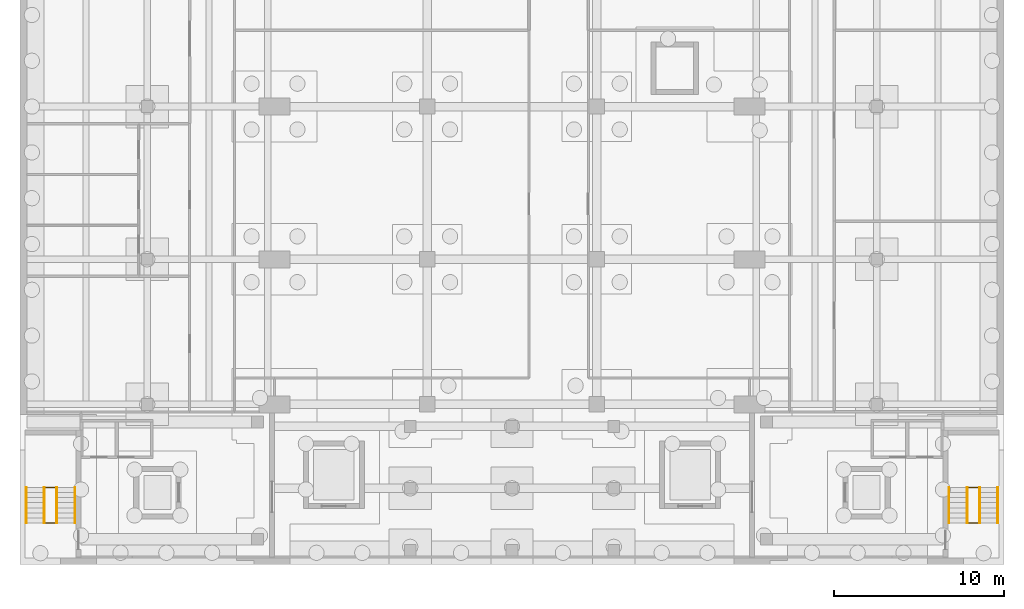
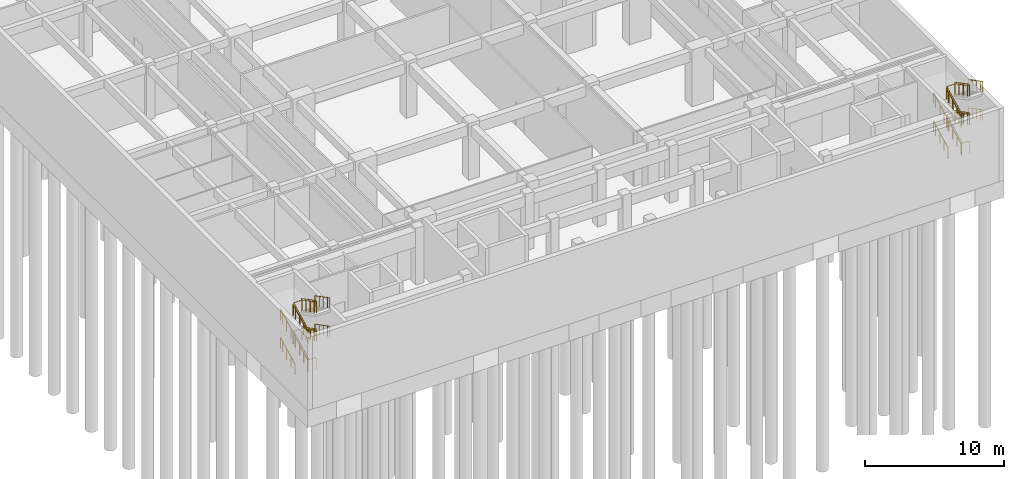
# One storey, part 17 of 19: 18 railings.
"""IFC4 building model written with IfcOpenShell, lengths in metres."""

from ifc_helpers import new_model, si_unit, direction, frame, origin, origin_2d, place, context, subcontext, project, spatial, circle, extrude, material, type_object, element, save


model = new_model("IFC4")

# Units and contexts
model_context = context("Model", 3, precision=1e-05, world=origin(), true_north=direction((0.0, 1.0)))
body_context = subcontext(model_context, "Body", "Model", "MODEL_VIEW")
ifc_project = project(units=[si_unit("LENGTHUNIT", "METRE"), si_unit("AREAUNIT", "SQUARE_METRE"), si_unit("VOLUMEUNIT", "CUBIC_METRE"), si_unit("PLANEANGLEUNIT", "RADIAN"), si_unit("MASSUNIT", "GRAM", prefix="KILO")], contexts=[model_context])

# Site, building, storey
site_placement = place(None, origin())
site = spatial("IfcSite", under=ifc_project, at=site_placement, CompositionType="ELEMENT")
building_placement = place(site_placement, origin())
building = spatial("IfcBuilding", under=site, at=building_placement, Name="Elmora Arch Market Hall", CompositionType="ELEMENT")
storey_placement = place(building_placement, frame((0.0, 0.0, -10.0)))
storey = spatial("IfcBuildingStorey", under=building, at=storey_placement, Name="B1", CompositionType="ELEMENT", Elevation=-10.0)

# Railings
ifc_material_1 = material(Name="Steel ASTM A500 Gr C", Category="steel")
railing_type_1 = type_object("IfcRailingType", Name="Stair guard 1100", PredefinedType="GUARDRAIL", material=ifc_material_1)
railing_1_placement = place(storey_placement, frame((2.1201171875, 20.449951171875, 0.0)))
element("IfcRailing", 1, at=railing_1_placement, inside=storey, type_object=railing_type_1, Name="Stair ST-WS guard B1", PredefinedType="GUARDRAIL", context=body_context, shape_type="SweptSolid", body=[
    extrude(circle(Radius=0.02392578125, at=origin_2d()), frame((0.0, 0.0, 1.076171875), z_axis=(-1.0, 0.0, 0.0), x_axis=(0.0, -1.0, 0.0)), (0.0, 0.0, 1.0), 0.64013671875),
    extrude(circle(Radius=0.02392578125, at=origin_2d()), frame((-0.64013671875, 0.0, 1.076171875), z_axis=(0.0, 0.0, 1.0), x_axis=(1.0, 0.0, 0.0)), (0.0, 0.0, 1.0), 0.15625),
    extrude(circle(Radius=0.02392578125, at=origin_2d()), frame((-0.64013671875, 0.0, 1.232421875), z_axis=(0.0, 0.886944881109, 0.461875283897), x_axis=(-1.0, 0.0, 0.0)), (0.0, 0.0, 1.0), 0.676513671875),
    extrude(circle(Radius=0.02392578125, at=origin_2d()), frame((-0.64013671875, 0.60009765625, 1.544921875), z_axis=(0.0, 0.886867866569, 0.462023145791), x_axis=(-1.0, 0.0, 0.0)), (0.0, 0.0, 1.0), 0.67626953125),
    extrude(circle(Radius=0.02392578125, at=origin_2d()), frame((-0.64013671875, 1.199951171875, 1.857421875), z_axis=(0.0, 0.886944881109, 0.461875283897), x_axis=(-1.0, 0.0, 0.0)), (0.0, 0.0, 1.0), 0.676513671875),
    extrude(circle(Radius=0.02392578125, at=origin_2d()), frame((-0.64013671875, 1.800048828125, 2.169921875), z_axis=(0.0, 0.886944881109, 0.461875283897), x_axis=(-1.0, 0.0, 0.0)), (0.0, 0.0, 1.0), 0.33837890625),
    extrude(circle(Radius=0.02392578125, at=origin_2d()), frame((-0.64013671875, 2.10009765625, 2.326171875), z_axis=(1.0, 0.0, 0.0), x_axis=(0.0, 1.0, 0.0)), (0.0, 0.0, 1.0), 0.64013671875),
    extrude(circle(Radius=0.02392578125, at=origin_2d()), frame((0.0, 2.10009765625, 2.326171875), z_axis=(0.0, 0.0, 1.0), x_axis=(1.0, 0.0, 0.0)), (0.0, 0.0, 1.0), 0.15625),
    extrude(circle(Radius=0.02392578125, at=origin_2d()), frame((0.0, 2.10009765625, 2.482421875), z_axis=(0.0, -0.886944881109, 0.461875283897), x_axis=(1.0, 0.0, 0.0)), (0.0, 0.0, 1.0), 0.676513671875),
    extrude(circle(Radius=0.02392578125, at=origin_2d()), frame((0.0, 1.5, 2.794921875), z_axis=(0.0, -0.886867866569, 0.462023145791), x_axis=(1.0, 0.0, 0.0)), (0.0, 0.0, 1.0), 0.67626953125),
    extrude(circle(Radius=0.02392578125, at=origin_2d()), frame((0.0, 0.900146484375, 3.107421875), z_axis=(0.0, -0.886944881109, 0.461875283897), x_axis=(1.0, 0.0, 0.0)), (0.0, 0.0, 1.0), 0.676513671875),
    extrude(circle(Radius=0.02392578125, at=origin_2d()), frame((0.0, 0.300048828125, 3.419921875), z_axis=(0.0, -0.886944881109, 0.461875283897), x_axis=(1.0, 0.0, 0.0)), (0.0, 0.0, 1.0), 0.33837890625),
    extrude(circle(Radius=0.02392578125, at=origin_2d()), frame((0.0, 0.0, 3.576171875), z_axis=(-1.0, 0.0, 0.0), x_axis=(0.0, -1.0, 0.0)), (0.0, 0.0, 1.0), 0.64013671875),
    extrude(circle(Radius=0.02392578125, at=origin_2d()), frame((-0.64013671875, 0.0, 3.576171875), z_axis=(0.0, 0.0, 1.0), x_axis=(1.0, 0.0, 0.0)), (0.0, 0.0, 1.0), 0.15625),
    extrude(circle(Radius=0.02392578125, at=origin_2d()), frame((-0.64013671875, 0.0, 3.732421875), z_axis=(0.0, 0.886944881109, 0.461875283897), x_axis=(-1.0, 0.0, 0.0)), (0.0, 0.0, 1.0), 0.676513671875),
    extrude(circle(Radius=0.02392578125, at=origin_2d()), frame((-0.64013671875, 0.60009765625, 4.044921875), z_axis=(0.0, 0.886867866569, 0.462023145791), x_axis=(-1.0, 0.0, 0.0)), (0.0, 0.0, 1.0), 0.67626953125),
    extrude(circle(Radius=0.02392578125, at=origin_2d()), frame((-0.64013671875, 1.199951171875, 4.357421875), z_axis=(0.0, 0.886944881109, 0.461875283897), x_axis=(-1.0, 0.0, 0.0)), (0.0, 0.0, 1.0), 0.676513671875),
    extrude(circle(Radius=0.02392578125, at=origin_2d()), frame((-0.64013671875, 1.800048828125, 4.669921875), z_axis=(0.0, 0.886944881109, 0.461875283897), x_axis=(-1.0, 0.0, 0.0)), (0.0, 0.0, 1.0), 0.33837890625),
    extrude(circle(Radius=0.02392578125, at=origin_2d()), frame((-0.64013671875, 2.10009765625, 4.826171875), z_axis=(1.0, 0.0, 0.0), x_axis=(0.0, 1.0, 0.0)), (0.0, 0.0, 1.0), 0.64013671875),
    extrude(circle(Radius=0.02392578125, at=origin_2d()), frame((0.0, 2.10009765625, 4.826171875), z_axis=(0.0, 0.0, 1.0), x_axis=(1.0, 0.0, 0.0)), (0.0, 0.0, 1.0), 0.15625),
    extrude(circle(Radius=0.02392578125, at=origin_2d()), frame((0.0, 2.10009765625, 4.982421875), z_axis=(0.0, -0.886944881109, 0.461875283897), x_axis=(1.0, 0.0, 0.0)), (0.0, 0.0, 1.0), 0.676513671875),
    extrude(circle(Radius=0.02392578125, at=origin_2d()), frame((0.0, 1.5, 5.294921875), z_axis=(0.0, -0.886867866569, 0.462023145791), x_axis=(1.0, 0.0, 0.0)), (0.0, 0.0, 1.0), 0.67626953125),
    extrude(circle(Radius=0.02392578125, at=origin_2d()), frame((0.0, 0.900146484375, 5.607421875), z_axis=(0.0, -0.886944881109, 0.461875283897), x_axis=(1.0, 0.0, 0.0)), (0.0, 0.0, 1.0), 0.676513671875),
    extrude(circle(Radius=0.02392578125, at=origin_2d()), frame((0.0, 0.300048828125, 5.919921875), z_axis=(0.0, -0.886944881109, 0.461875283897), x_axis=(1.0, 0.0, 0.0)), (0.0, 0.0, 1.0), 0.33837890625),
    extrude(circle(Radius=0.02099609375, at=origin_2d()), origin(), (0.0, 0.0, 1.0), 1.052001953125),
    extrude(circle(Radius=0.02099609375, at=origin_2d()), frame((-0.64013671875, 0.0, 0.0)), (0.0, 0.0, 1.0), 1.052001953125),
    extrude(circle(Radius=0.02099609375, at=origin_2d()), frame((-0.64013671875, 0.0, 0.15625)), (0.0, 0.0, 1.0), 1.052001953125),
    extrude(circle(Radius=0.02099609375, at=origin_2d()), frame((-0.64013671875, 0.60009765625, 0.46875)), (0.0, 0.0, 1.0), 1.052001953125),
    extrude(circle(Radius=0.02099609375, at=origin_2d()), frame((-0.64013671875, 1.199951171875, 0.78125)), (0.0, 0.0, 1.0), 1.052001953125),
    extrude(circle(Radius=0.02099609375, at=origin_2d()), frame((-0.64013671875, 1.800048828125, 1.09375)), (0.0, 0.0, 1.0), 1.052001953125),
    extrude(circle(Radius=0.02099609375, at=origin_2d()), frame((-0.64013671875, 2.10009765625, 1.25)), (0.0, 0.0, 1.0), 1.052001953125),
    extrude(circle(Radius=0.02099609375, at=origin_2d()), frame((0.0, 2.10009765625, 1.25)), (0.0, 0.0, 1.0), 1.052001953125),
    extrude(circle(Radius=0.02099609375, at=origin_2d()), frame((0.0, 2.10009765625, 1.40625)), (0.0, 0.0, 1.0), 1.052001953125),
    extrude(circle(Radius=0.02099609375, at=origin_2d()), frame((0.0, 1.5, 1.71875)), (0.0, 0.0, 1.0), 1.052001953125),
    extrude(circle(Radius=0.02099609375, at=origin_2d()), frame((0.0, 0.900146484375, 2.03125)), (0.0, 0.0, 1.0), 1.052001953125),
    extrude(circle(Radius=0.02099609375, at=origin_2d()), frame((0.0, 0.300048828125, 2.34375)), (0.0, 0.0, 1.0), 1.052001953125),
    extrude(circle(Radius=0.02099609375, at=origin_2d()), frame((0.0, 0.0, 2.5)), (0.0, 0.0, 1.0), 1.052001953125),
    extrude(circle(Radius=0.02099609375, at=origin_2d()), frame((-0.64013671875, 0.0, 2.5)), (0.0, 0.0, 1.0), 1.052001953125),
    extrude(circle(Radius=0.02099609375, at=origin_2d()), frame((-0.64013671875, 0.0, 2.65625)), (0.0, 0.0, 1.0), 1.052001953125),
    extrude(circle(Radius=0.02099609375, at=origin_2d()), frame((-0.64013671875, 0.60009765625, 2.96875)), (0.0, 0.0, 1.0), 1.052001953125),
    extrude(circle(Radius=0.02099609375, at=origin_2d()), frame((-0.64013671875, 1.199951171875, 3.28125)), (0.0, 0.0, 1.0), 1.052001953125),
    extrude(circle(Radius=0.02099609375, at=origin_2d()), frame((-0.64013671875, 1.800048828125, 3.59375)), (0.0, 0.0, 1.0), 1.052001953125),
    extrude(circle(Radius=0.02099609375, at=origin_2d()), frame((-0.64013671875, 2.10009765625, 3.75)), (0.0, 0.0, 1.0), 1.052001953125),
    extrude(circle(Radius=0.02099609375, at=origin_2d()), frame((0.0, 2.10009765625, 3.75)), (0.0, 0.0, 1.0), 1.052001953125),
    extrude(circle(Radius=0.02099609375, at=origin_2d()), frame((0.0, 2.10009765625, 3.90625)), (0.0, 0.0, 1.0), 1.052001953125),
    extrude(circle(Radius=0.02099609375, at=origin_2d()), frame((0.0, 1.5, 4.21875)), (0.0, 0.0, 1.0), 1.052001953125),
    extrude(circle(Radius=0.02099609375, at=origin_2d()), frame((0.0, 0.900146484375, 4.53125)), (0.0, 0.0, 1.0), 1.052001953125),
    extrude(circle(Radius=0.02099609375, at=origin_2d()), frame((0.0, 0.300048828125, 4.84375)), (0.0, 0.0, 1.0), 1.052001953125),
    extrude(circle(Radius=0.02099609375, at=origin_2d()), frame((0.0, 0.0, 5.0)), (0.0, 0.0, 1.0), 1.052001953125),
])
railing_2_placement = place(storey_placement, frame((56.52001953125, 20.449951171875, 0.0)))
element("IfcRailing", 2, at=railing_2_placement, inside=storey, type_object=railing_type_1, Name="Stair ST-ES guard B1", PredefinedType="GUARDRAIL", context=body_context, shape_type="SweptSolid", body=[
    extrude(circle(Radius=0.02392578125, at=origin_2d()), frame((0.0, 0.0, 1.076171875), z_axis=(-1.0, 0.0, 0.0), x_axis=(0.0, -1.0, 0.0)), (0.0, 0.0, 1.0), 0.64013671875),
    extrude(circle(Radius=0.02392578125, at=origin_2d()), frame((-0.64013671875, 0.0, 1.076171875), z_axis=(0.0, 0.0, 1.0), x_axis=(1.0, 0.0, 0.0)), (0.0, 0.0, 1.0), 0.15625),
    extrude(circle(Radius=0.02392578125, at=origin_2d()), frame((-0.64013671875, 0.0, 1.232421875), z_axis=(0.0, 0.886944881109, 0.461875283897), x_axis=(-1.0, 0.0, 0.0)), (0.0, 0.0, 1.0), 0.676513671875),
    extrude(circle(Radius=0.02392578125, at=origin_2d()), frame((-0.64013671875, 0.60009765625, 1.544921875), z_axis=(0.0, 0.886867866569, 0.462023145791), x_axis=(-1.0, 0.0, 0.0)), (0.0, 0.0, 1.0), 0.67626953125),
    extrude(circle(Radius=0.02392578125, at=origin_2d()), frame((-0.64013671875, 1.199951171875, 1.857421875), z_axis=(0.0, 0.886944881109, 0.461875283897), x_axis=(-1.0, 0.0, 0.0)), (0.0, 0.0, 1.0), 0.676513671875),
    extrude(circle(Radius=0.02392578125, at=origin_2d()), frame((-0.64013671875, 1.800048828125, 2.169921875), z_axis=(0.0, 0.886944881109, 0.461875283897), x_axis=(-1.0, 0.0, 0.0)), (0.0, 0.0, 1.0), 0.33837890625),
    extrude(circle(Radius=0.02392578125, at=origin_2d()), frame((-0.64013671875, 2.10009765625, 2.326171875), z_axis=(1.0, 0.0, 0.0), x_axis=(0.0, 1.0, 0.0)), (0.0, 0.0, 1.0), 0.64013671875),
    extrude(circle(Radius=0.02392578125, at=origin_2d()), frame((0.0, 2.10009765625, 2.326171875), z_axis=(0.0, 0.0, 1.0), x_axis=(1.0, 0.0, 0.0)), (0.0, 0.0, 1.0), 0.15625),
    extrude(circle(Radius=0.02392578125, at=origin_2d()), frame((0.0, 2.10009765625, 2.482421875), z_axis=(0.0, -0.886944881109, 0.461875283897), x_axis=(1.0, 0.0, 0.0)), (0.0, 0.0, 1.0), 0.676513671875),
    extrude(circle(Radius=0.02392578125, at=origin_2d()), frame((0.0, 1.5, 2.794921875), z_axis=(0.0, -0.886867866569, 0.462023145791), x_axis=(1.0, 0.0, 0.0)), (0.0, 0.0, 1.0), 0.67626953125),
    extrude(circle(Radius=0.02392578125, at=origin_2d()), frame((0.0, 0.900146484375, 3.107421875), z_axis=(0.0, -0.886944881109, 0.461875283897), x_axis=(1.0, 0.0, 0.0)), (0.0, 0.0, 1.0), 0.676513671875),
    extrude(circle(Radius=0.02392578125, at=origin_2d()), frame((0.0, 0.300048828125, 3.419921875), z_axis=(0.0, -0.886944881109, 0.461875283897), x_axis=(1.0, 0.0, 0.0)), (0.0, 0.0, 1.0), 0.33837890625),
    extrude(circle(Radius=0.02392578125, at=origin_2d()), frame((0.0, 0.0, 3.576171875), z_axis=(-1.0, 0.0, 0.0), x_axis=(0.0, -1.0, 0.0)), (0.0, 0.0, 1.0), 0.64013671875),
    extrude(circle(Radius=0.02392578125, at=origin_2d()), frame((-0.64013671875, 0.0, 3.576171875), z_axis=(0.0, 0.0, 1.0), x_axis=(1.0, 0.0, 0.0)), (0.0, 0.0, 1.0), 0.15625),
    extrude(circle(Radius=0.02392578125, at=origin_2d()), frame((-0.64013671875, 0.0, 3.732421875), z_axis=(0.0, 0.886944881109, 0.461875283897), x_axis=(-1.0, 0.0, 0.0)), (0.0, 0.0, 1.0), 0.676513671875),
    extrude(circle(Radius=0.02392578125, at=origin_2d()), frame((-0.64013671875, 0.60009765625, 4.044921875), z_axis=(0.0, 0.886867866569, 0.462023145791), x_axis=(-1.0, 0.0, 0.0)), (0.0, 0.0, 1.0), 0.67626953125),
    extrude(circle(Radius=0.02392578125, at=origin_2d()), frame((-0.64013671875, 1.199951171875, 4.357421875), z_axis=(0.0, 0.886944881109, 0.461875283897), x_axis=(-1.0, 0.0, 0.0)), (0.0, 0.0, 1.0), 0.676513671875),
    extrude(circle(Radius=0.02392578125, at=origin_2d()), frame((-0.64013671875, 1.800048828125, 4.669921875), z_axis=(0.0, 0.886944881109, 0.461875283897), x_axis=(-1.0, 0.0, 0.0)), (0.0, 0.0, 1.0), 0.33837890625),
    extrude(circle(Radius=0.02392578125, at=origin_2d()), frame((-0.64013671875, 2.10009765625, 4.826171875), z_axis=(1.0, 0.0, 0.0), x_axis=(0.0, 1.0, 0.0)), (0.0, 0.0, 1.0), 0.64013671875),
    extrude(circle(Radius=0.02392578125, at=origin_2d()), frame((0.0, 2.10009765625, 4.826171875), z_axis=(0.0, 0.0, 1.0), x_axis=(1.0, 0.0, 0.0)), (0.0, 0.0, 1.0), 0.15625),
    extrude(circle(Radius=0.02392578125, at=origin_2d()), frame((0.0, 2.10009765625, 4.982421875), z_axis=(0.0, -0.886944881109, 0.461875283897), x_axis=(1.0, 0.0, 0.0)), (0.0, 0.0, 1.0), 0.676513671875),
    extrude(circle(Radius=0.02392578125, at=origin_2d()), frame((0.0, 1.5, 5.294921875), z_axis=(0.0, -0.886867866569, 0.462023145791), x_axis=(1.0, 0.0, 0.0)), (0.0, 0.0, 1.0), 0.67626953125),
    extrude(circle(Radius=0.02392578125, at=origin_2d()), frame((0.0, 0.900146484375, 5.607421875), z_axis=(0.0, -0.886944881109, 0.461875283897), x_axis=(1.0, 0.0, 0.0)), (0.0, 0.0, 1.0), 0.676513671875),
    extrude(circle(Radius=0.02392578125, at=origin_2d()), frame((0.0, 0.300048828125, 5.919921875), z_axis=(0.0, -0.886944881109, 0.461875283897), x_axis=(1.0, 0.0, 0.0)), (0.0, 0.0, 1.0), 0.33837890625),
    extrude(circle(Radius=0.02099609375, at=origin_2d()), origin(), (0.0, 0.0, 1.0), 1.052001953125),
    extrude(circle(Radius=0.02099609375, at=origin_2d()), frame((-0.64013671875, 0.0, 0.0)), (0.0, 0.0, 1.0), 1.052001953125),
    extrude(circle(Radius=0.02099609375, at=origin_2d()), frame((-0.64013671875, 0.0, 0.15625)), (0.0, 0.0, 1.0), 1.052001953125),
    extrude(circle(Radius=0.02099609375, at=origin_2d()), frame((-0.64013671875, 0.60009765625, 0.46875)), (0.0, 0.0, 1.0), 1.052001953125),
    extrude(circle(Radius=0.02099609375, at=origin_2d()), frame((-0.64013671875, 1.199951171875, 0.78125)), (0.0, 0.0, 1.0), 1.052001953125),
    extrude(circle(Radius=0.02099609375, at=origin_2d()), frame((-0.64013671875, 1.800048828125, 1.09375)), (0.0, 0.0, 1.0), 1.052001953125),
    extrude(circle(Radius=0.02099609375, at=origin_2d()), frame((-0.64013671875, 2.10009765625, 1.25)), (0.0, 0.0, 1.0), 1.052001953125),
    extrude(circle(Radius=0.02099609375, at=origin_2d()), frame((0.0, 2.10009765625, 1.25)), (0.0, 0.0, 1.0), 1.052001953125),
    extrude(circle(Radius=0.02099609375, at=origin_2d()), frame((0.0, 2.10009765625, 1.40625)), (0.0, 0.0, 1.0), 1.052001953125),
    extrude(circle(Radius=0.02099609375, at=origin_2d()), frame((0.0, 1.5, 1.71875)), (0.0, 0.0, 1.0), 1.052001953125),
    extrude(circle(Radius=0.02099609375, at=origin_2d()), frame((0.0, 0.900146484375, 2.03125)), (0.0, 0.0, 1.0), 1.052001953125),
    extrude(circle(Radius=0.02099609375, at=origin_2d()), frame((0.0, 0.300048828125, 2.34375)), (0.0, 0.0, 1.0), 1.052001953125),
    extrude(circle(Radius=0.02099609375, at=origin_2d()), frame((0.0, 0.0, 2.5)), (0.0, 0.0, 1.0), 1.052001953125),
    extrude(circle(Radius=0.02099609375, at=origin_2d()), frame((-0.64013671875, 0.0, 2.5)), (0.0, 0.0, 1.0), 1.052001953125),
    extrude(circle(Radius=0.02099609375, at=origin_2d()), frame((-0.64013671875, 0.0, 2.65625)), (0.0, 0.0, 1.0), 1.052001953125),
    extrude(circle(Radius=0.02099609375, at=origin_2d()), frame((-0.64013671875, 0.60009765625, 2.96875)), (0.0, 0.0, 1.0), 1.052001953125),
    extrude(circle(Radius=0.02099609375, at=origin_2d()), frame((-0.64013671875, 1.199951171875, 3.28125)), (0.0, 0.0, 1.0), 1.052001953125),
    extrude(circle(Radius=0.02099609375, at=origin_2d()), frame((-0.64013671875, 1.800048828125, 3.59375)), (0.0, 0.0, 1.0), 1.052001953125),
    extrude(circle(Radius=0.02099609375, at=origin_2d()), frame((-0.64013671875, 2.10009765625, 3.75)), (0.0, 0.0, 1.0), 1.052001953125),
    extrude(circle(Radius=0.02099609375, at=origin_2d()), frame((0.0, 2.10009765625, 3.75)), (0.0, 0.0, 1.0), 1.052001953125),
    extrude(circle(Radius=0.02099609375, at=origin_2d()), frame((0.0, 2.10009765625, 3.90625)), (0.0, 0.0, 1.0), 1.052001953125),
    extrude(circle(Radius=0.02099609375, at=origin_2d()), frame((0.0, 1.5, 4.21875)), (0.0, 0.0, 1.0), 1.052001953125),
    extrude(circle(Radius=0.02099609375, at=origin_2d()), frame((0.0, 0.900146484375, 4.53125)), (0.0, 0.0, 1.0), 1.052001953125),
    extrude(circle(Radius=0.02099609375, at=origin_2d()), frame((0.0, 0.300048828125, 4.84375)), (0.0, 0.0, 1.0), 1.052001953125),
    extrude(circle(Radius=0.02099609375, at=origin_2d()), frame((0.0, 0.0, 5.0)), (0.0, 0.0, 1.0), 1.052001953125),
])
ifc_material_2 = material(Name="Stainless steel ASTM A554 Grade 304", Category="steel")
railing_type_2 = type_object("IfcRailingType", Name="Stair handrail 950", PredefinedType="HANDRAIL", material=ifc_material_2)
for number, where, name in (
    (3, (0.360107421875, 20.449951171875, 0.15625), "Stair ST-WS B1 flight 1 handrail"),
    (4, (1.429931640625, 20.449951171875, 0.15625), "Stair ST-WS B1 flight 1 handrail"),
):
    element("IfcRailing", number, at=place(storey_placement, frame(where)), inside=storey, type_object=railing_type_2, Name=name, PredefinedType="HANDRAIL", context=body_context, shape_type="SweptSolid", body=[
        extrude(circle(Radius=0.02392578125, at=origin_2d()), frame((0.0, 0.0, 0.92578125), z_axis=(0.0, 0.886944881109, 0.461875283897), x_axis=(-1.0, 0.0, 0.0)), (0.0, 0.0, 1.0), 0.676513671875),
        extrude(circle(Radius=0.02392578125, at=origin_2d()), frame((0.0, 0.60009765625, 1.23828125), z_axis=(0.0, 0.886867866569, 0.462023145791), x_axis=(-1.0, 0.0, 0.0)), (0.0, 0.0, 1.0), 0.67626953125),
        extrude(circle(Radius=0.02392578125, at=origin_2d()), frame((0.0, 1.199951171875, 1.55078125), z_axis=(0.0, 0.886944881109, 0.461875283897), x_axis=(-1.0, 0.0, 0.0)), (0.0, 0.0, 1.0), 0.676513671875),
        extrude(circle(Radius=0.02392578125, at=origin_2d()), frame((0.0, 1.800048828125, 1.86328125), z_axis=(0.0, 0.886944881109, 0.461875283897), x_axis=(-1.0, 0.0, 0.0)), (0.0, 0.0, 1.0), 0.33837890625),
        extrude(circle(Radius=0.02099609375, at=origin_2d()), origin(), (0.0, 0.0, 1.0), 0.90185546875),
        extrude(circle(Radius=0.02099609375, at=origin_2d()), frame((0.0, 0.60009765625, 0.3125)), (0.0, 0.0, 1.0), 0.90185546875),
        extrude(circle(Radius=0.02099609375, at=origin_2d()), frame((0.0, 1.199951171875, 0.625)), (0.0, 0.0, 1.0), 0.90185546875),
        extrude(circle(Radius=0.02099609375, at=origin_2d()), frame((0.0, 1.800048828125, 0.9375)), (0.0, 0.0, 1.0), 0.90185546875),
        extrude(circle(Radius=0.02099609375, at=origin_2d()), frame((0.0, 2.10009765625, 1.09375)), (0.0, 0.0, 1.0), 0.90185546875),
    ])
for number, where, name in (
    (5, (3.239990234375, 22.550048828125, 1.40625), "Stair ST-WS B1 flight 2 handrail"),
    (6, (2.169921875, 22.550048828125, 1.40625), "Stair ST-WS B1 flight 2 handrail"),
):
    element("IfcRailing", number, at=place(storey_placement, frame(where)), inside=storey, type_object=railing_type_2, Name=name, PredefinedType="HANDRAIL", context=body_context, shape_type="SweptSolid", body=[
        extrude(circle(Radius=0.02392578125, at=origin_2d()), frame((0.0, 0.0, 0.92578125), z_axis=(0.0, -0.886944881109, 0.461875283897), x_axis=(1.0, 0.0, 0.0)), (0.0, 0.0, 1.0), 0.676513671875),
        extrude(circle(Radius=0.02392578125, at=origin_2d()), frame((0.0, -0.60009765625, 1.23828125), z_axis=(0.0, -0.886867866569, 0.462023145791), x_axis=(1.0, 0.0, 0.0)), (0.0, 0.0, 1.0), 0.67626953125),
        extrude(circle(Radius=0.02392578125, at=origin_2d()), frame((0.0, -1.199951171875, 1.55078125), z_axis=(0.0, -0.886944881109, 0.461875283897), x_axis=(1.0, 0.0, 0.0)), (0.0, 0.0, 1.0), 0.676513671875),
        extrude(circle(Radius=0.02392578125, at=origin_2d()), frame((0.0, -1.800048828125, 1.86328125), z_axis=(0.0, -0.886944881109, 0.461875283897), x_axis=(1.0, 0.0, 0.0)), (0.0, 0.0, 1.0), 0.33837890625),
        extrude(circle(Radius=0.02099609375, at=origin_2d()), origin(), (0.0, 0.0, 1.0), 0.90185546875),
        extrude(circle(Radius=0.02099609375, at=origin_2d()), frame((0.0, -0.60009765625, 0.3125)), (0.0, 0.0, 1.0), 0.90185546875),
        extrude(circle(Radius=0.02099609375, at=origin_2d()), frame((0.0, -1.199951171875, 0.625)), (0.0, 0.0, 1.0), 0.90185546875),
        extrude(circle(Radius=0.02099609375, at=origin_2d()), frame((0.0, -1.800048828125, 0.9375)), (0.0, 0.0, 1.0), 0.90185546875),
        extrude(circle(Radius=0.02099609375, at=origin_2d()), frame((0.0, -2.10009765625, 1.09375)), (0.0, 0.0, 1.0), 0.90185546875),
    ])
for number, where, name in (
    (7, (0.360107421875, 20.449951171875, 2.65625), "Stair ST-WS B1 flight 3 handrail"),
    (8, (1.429931640625, 20.449951171875, 2.65625), "Stair ST-WS B1 flight 3 handrail"),
):
    element("IfcRailing", number, at=place(storey_placement, frame(where)), inside=storey, type_object=railing_type_2, Name=name, PredefinedType="HANDRAIL", context=body_context, shape_type="SweptSolid", body=[
        extrude(circle(Radius=0.02392578125, at=origin_2d()), frame((0.0, 0.0, 0.92578125), z_axis=(0.0, 0.886944881109, 0.461875283897), x_axis=(-1.0, 0.0, 0.0)), (0.0, 0.0, 1.0), 0.676513671875),
        extrude(circle(Radius=0.02392578125, at=origin_2d()), frame((0.0, 0.60009765625, 1.23828125), z_axis=(0.0, 0.886867866569, 0.462023145791), x_axis=(-1.0, 0.0, 0.0)), (0.0, 0.0, 1.0), 0.67626953125),
        extrude(circle(Radius=0.02392578125, at=origin_2d()), frame((0.0, 1.199951171875, 1.55078125), z_axis=(0.0, 0.886944881109, 0.461875283897), x_axis=(-1.0, 0.0, 0.0)), (0.0, 0.0, 1.0), 0.676513671875),
        extrude(circle(Radius=0.02392578125, at=origin_2d()), frame((0.0, 1.800048828125, 1.86328125), z_axis=(0.0, 0.886944881109, 0.461875283897), x_axis=(-1.0, 0.0, 0.0)), (0.0, 0.0, 1.0), 0.33837890625),
        extrude(circle(Radius=0.02099609375, at=origin_2d()), origin(), (0.0, 0.0, 1.0), 0.90185546875),
        extrude(circle(Radius=0.02099609375, at=origin_2d()), frame((0.0, 0.60009765625, 0.3125)), (0.0, 0.0, 1.0), 0.90185546875),
        extrude(circle(Radius=0.02099609375, at=origin_2d()), frame((0.0, 1.199951171875, 0.625)), (0.0, 0.0, 1.0), 0.90185546875),
        extrude(circle(Radius=0.02099609375, at=origin_2d()), frame((0.0, 1.800048828125, 0.9375)), (0.0, 0.0, 1.0), 0.90185546875),
        extrude(circle(Radius=0.02099609375, at=origin_2d()), frame((0.0, 2.10009765625, 1.09375)), (0.0, 0.0, 1.0), 0.90185546875),
    ])
for number, where, name in (
    (9, (3.239990234375, 22.550048828125, 3.90625), "Stair ST-WS B1 flight 4 handrail"),
    (10, (2.169921875, 22.550048828125, 3.90625), "Stair ST-WS B1 flight 4 handrail"),
):
    element("IfcRailing", number, at=place(storey_placement, frame(where)), inside=storey, type_object=railing_type_2, Name=name, PredefinedType="HANDRAIL", context=body_context, shape_type="SweptSolid", body=[
        extrude(circle(Radius=0.02392578125, at=origin_2d()), frame((0.0, 0.0, 0.92578125), z_axis=(0.0, -0.886944881109, 0.461875283897), x_axis=(1.0, 0.0, 0.0)), (0.0, 0.0, 1.0), 0.676513671875),
        extrude(circle(Radius=0.02392578125, at=origin_2d()), frame((0.0, -0.60009765625, 1.23828125), z_axis=(0.0, -0.886867866569, 0.462023145791), x_axis=(1.0, 0.0, 0.0)), (0.0, 0.0, 1.0), 0.67626953125),
        extrude(circle(Radius=0.02392578125, at=origin_2d()), frame((0.0, -1.199951171875, 1.55078125), z_axis=(0.0, -0.886944881109, 0.461875283897), x_axis=(1.0, 0.0, 0.0)), (0.0, 0.0, 1.0), 0.676513671875),
        extrude(circle(Radius=0.02392578125, at=origin_2d()), frame((0.0, -1.800048828125, 1.86328125), z_axis=(0.0, -0.886944881109, 0.461875283897), x_axis=(1.0, 0.0, 0.0)), (0.0, 0.0, 1.0), 0.33837890625),
        extrude(circle(Radius=0.02099609375, at=origin_2d()), origin(), (0.0, 0.0, 1.0), 0.90185546875),
        extrude(circle(Radius=0.02099609375, at=origin_2d()), frame((0.0, -0.60009765625, 0.3125)), (0.0, 0.0, 1.0), 0.90185546875),
        extrude(circle(Radius=0.02099609375, at=origin_2d()), frame((0.0, -1.199951171875, 0.625)), (0.0, 0.0, 1.0), 0.90185546875),
        extrude(circle(Radius=0.02099609375, at=origin_2d()), frame((0.0, -1.800048828125, 0.9375)), (0.0, 0.0, 1.0), 0.90185546875),
        extrude(circle(Radius=0.02099609375, at=origin_2d()), frame((0.0, -2.10009765625, 1.09375)), (0.0, 0.0, 1.0), 0.90185546875),
    ])
for number, where, name in (
    (11, (54.760009765625, 20.449951171875, 0.15625), "Stair ST-ES B1 flight 1 handrail"),
    (12, (55.830078125, 20.449951171875, 0.15625), "Stair ST-ES B1 flight 1 handrail"),
):
    element("IfcRailing", number, at=place(storey_placement, frame(where)), inside=storey, type_object=railing_type_2, Name=name, PredefinedType="HANDRAIL", context=body_context, shape_type="SweptSolid", body=[
        extrude(circle(Radius=0.02392578125, at=origin_2d()), frame((0.0, 0.0, 0.92578125), z_axis=(0.0, 0.886944881109, 0.461875283897), x_axis=(-1.0, 0.0, 0.0)), (0.0, 0.0, 1.0), 0.676513671875),
        extrude(circle(Radius=0.02392578125, at=origin_2d()), frame((0.0, 0.60009765625, 1.23828125), z_axis=(0.0, 0.886867866569, 0.462023145791), x_axis=(-1.0, 0.0, 0.0)), (0.0, 0.0, 1.0), 0.67626953125),
        extrude(circle(Radius=0.02392578125, at=origin_2d()), frame((0.0, 1.199951171875, 1.55078125), z_axis=(0.0, 0.886944881109, 0.461875283897), x_axis=(-1.0, 0.0, 0.0)), (0.0, 0.0, 1.0), 0.676513671875),
        extrude(circle(Radius=0.02392578125, at=origin_2d()), frame((0.0, 1.800048828125, 1.86328125), z_axis=(0.0, 0.886944881109, 0.461875283897), x_axis=(-1.0, 0.0, 0.0)), (0.0, 0.0, 1.0), 0.33837890625),
        extrude(circle(Radius=0.02099609375, at=origin_2d()), origin(), (0.0, 0.0, 1.0), 0.90185546875),
        extrude(circle(Radius=0.02099609375, at=origin_2d()), frame((0.0, 0.60009765625, 0.3125)), (0.0, 0.0, 1.0), 0.90185546875),
        extrude(circle(Radius=0.02099609375, at=origin_2d()), frame((0.0, 1.199951171875, 0.625)), (0.0, 0.0, 1.0), 0.90185546875),
        extrude(circle(Radius=0.02099609375, at=origin_2d()), frame((0.0, 1.800048828125, 0.9375)), (0.0, 0.0, 1.0), 0.90185546875),
        extrude(circle(Radius=0.02099609375, at=origin_2d()), frame((0.0, 2.10009765625, 1.09375)), (0.0, 0.0, 1.0), 0.90185546875),
    ])
for number, where, name in (
    (13, (57.639892578125, 22.550048828125, 1.40625), "Stair ST-ES B1 flight 2 handrail"),
    (14, (56.570068359375, 22.550048828125, 1.40625), "Stair ST-ES B1 flight 2 handrail"),
):
    element("IfcRailing", number, at=place(storey_placement, frame(where)), inside=storey, type_object=railing_type_2, Name=name, PredefinedType="HANDRAIL", context=body_context, shape_type="SweptSolid", body=[
        extrude(circle(Radius=0.02392578125, at=origin_2d()), frame((0.0, 0.0, 0.92578125), z_axis=(0.0, -0.886944881109, 0.461875283897), x_axis=(1.0, 0.0, 0.0)), (0.0, 0.0, 1.0), 0.676513671875),
        extrude(circle(Radius=0.02392578125, at=origin_2d()), frame((0.0, -0.60009765625, 1.23828125), z_axis=(0.0, -0.886867866569, 0.462023145791), x_axis=(1.0, 0.0, 0.0)), (0.0, 0.0, 1.0), 0.67626953125),
        extrude(circle(Radius=0.02392578125, at=origin_2d()), frame((0.0, -1.199951171875, 1.55078125), z_axis=(0.0, -0.886944881109, 0.461875283897), x_axis=(1.0, 0.0, 0.0)), (0.0, 0.0, 1.0), 0.676513671875),
        extrude(circle(Radius=0.02392578125, at=origin_2d()), frame((0.0, -1.800048828125, 1.86328125), z_axis=(0.0, -0.886944881109, 0.461875283897), x_axis=(1.0, 0.0, 0.0)), (0.0, 0.0, 1.0), 0.33837890625),
        extrude(circle(Radius=0.02099609375, at=origin_2d()), origin(), (0.0, 0.0, 1.0), 0.90185546875),
        extrude(circle(Radius=0.02099609375, at=origin_2d()), frame((0.0, -0.60009765625, 0.3125)), (0.0, 0.0, 1.0), 0.90185546875),
        extrude(circle(Radius=0.02099609375, at=origin_2d()), frame((0.0, -1.199951171875, 0.625)), (0.0, 0.0, 1.0), 0.90185546875),
        extrude(circle(Radius=0.02099609375, at=origin_2d()), frame((0.0, -1.800048828125, 0.9375)), (0.0, 0.0, 1.0), 0.90185546875),
        extrude(circle(Radius=0.02099609375, at=origin_2d()), frame((0.0, -2.10009765625, 1.09375)), (0.0, 0.0, 1.0), 0.90185546875),
    ])
for number, where, name in (
    (15, (54.760009765625, 20.449951171875, 2.65625), "Stair ST-ES B1 flight 3 handrail"),
    (16, (55.830078125, 20.449951171875, 2.65625), "Stair ST-ES B1 flight 3 handrail"),
):
    element("IfcRailing", number, at=place(storey_placement, frame(where)), inside=storey, type_object=railing_type_2, Name=name, PredefinedType="HANDRAIL", context=body_context, shape_type="SweptSolid", body=[
        extrude(circle(Radius=0.02392578125, at=origin_2d()), frame((0.0, 0.0, 0.92578125), z_axis=(0.0, 0.886944881109, 0.461875283897), x_axis=(-1.0, 0.0, 0.0)), (0.0, 0.0, 1.0), 0.676513671875),
        extrude(circle(Radius=0.02392578125, at=origin_2d()), frame((0.0, 0.60009765625, 1.23828125), z_axis=(0.0, 0.886867866569, 0.462023145791), x_axis=(-1.0, 0.0, 0.0)), (0.0, 0.0, 1.0), 0.67626953125),
        extrude(circle(Radius=0.02392578125, at=origin_2d()), frame((0.0, 1.199951171875, 1.55078125), z_axis=(0.0, 0.886944881109, 0.461875283897), x_axis=(-1.0, 0.0, 0.0)), (0.0, 0.0, 1.0), 0.676513671875),
        extrude(circle(Radius=0.02392578125, at=origin_2d()), frame((0.0, 1.800048828125, 1.86328125), z_axis=(0.0, 0.886944881109, 0.461875283897), x_axis=(-1.0, 0.0, 0.0)), (0.0, 0.0, 1.0), 0.33837890625),
        extrude(circle(Radius=0.02099609375, at=origin_2d()), origin(), (0.0, 0.0, 1.0), 0.90185546875),
        extrude(circle(Radius=0.02099609375, at=origin_2d()), frame((0.0, 0.60009765625, 0.3125)), (0.0, 0.0, 1.0), 0.90185546875),
        extrude(circle(Radius=0.02099609375, at=origin_2d()), frame((0.0, 1.199951171875, 0.625)), (0.0, 0.0, 1.0), 0.90185546875),
        extrude(circle(Radius=0.02099609375, at=origin_2d()), frame((0.0, 1.800048828125, 0.9375)), (0.0, 0.0, 1.0), 0.90185546875),
        extrude(circle(Radius=0.02099609375, at=origin_2d()), frame((0.0, 2.10009765625, 1.09375)), (0.0, 0.0, 1.0), 0.90185546875),
    ])
for number, where, name in (
    (17, (57.639892578125, 22.550048828125, 3.90625), "Stair ST-ES B1 flight 4 handrail"),
    (18, (56.570068359375, 22.550048828125, 3.90625), "Stair ST-ES B1 flight 4 handrail"),
):
    element("IfcRailing", number, at=place(storey_placement, frame(where)), inside=storey, type_object=railing_type_2, Name=name, PredefinedType="HANDRAIL", context=body_context, shape_type="SweptSolid", body=[
        extrude(circle(Radius=0.02392578125, at=origin_2d()), frame((0.0, 0.0, 0.92578125), z_axis=(0.0, -0.886944881109, 0.461875283897), x_axis=(1.0, 0.0, 0.0)), (0.0, 0.0, 1.0), 0.676513671875),
        extrude(circle(Radius=0.02392578125, at=origin_2d()), frame((0.0, -0.60009765625, 1.23828125), z_axis=(0.0, -0.886867866569, 0.462023145791), x_axis=(1.0, 0.0, 0.0)), (0.0, 0.0, 1.0), 0.67626953125),
        extrude(circle(Radius=0.02392578125, at=origin_2d()), frame((0.0, -1.199951171875, 1.55078125), z_axis=(0.0, -0.886944881109, 0.461875283897), x_axis=(1.0, 0.0, 0.0)), (0.0, 0.0, 1.0), 0.676513671875),
        extrude(circle(Radius=0.02392578125, at=origin_2d()), frame((0.0, -1.800048828125, 1.86328125), z_axis=(0.0, -0.886944881109, 0.461875283897), x_axis=(1.0, 0.0, 0.0)), (0.0, 0.0, 1.0), 0.33837890625),
        extrude(circle(Radius=0.02099609375, at=origin_2d()), origin(), (0.0, 0.0, 1.0), 0.90185546875),
        extrude(circle(Radius=0.02099609375, at=origin_2d()), frame((0.0, -0.60009765625, 0.3125)), (0.0, 0.0, 1.0), 0.90185546875),
        extrude(circle(Radius=0.02099609375, at=origin_2d()), frame((0.0, -1.199951171875, 0.625)), (0.0, 0.0, 1.0), 0.90185546875),
        extrude(circle(Radius=0.02099609375, at=origin_2d()), frame((0.0, -1.800048828125, 0.9375)), (0.0, 0.0, 1.0), 0.90185546875),
        extrude(circle(Radius=0.02099609375, at=origin_2d()), frame((0.0, -2.10009765625, 1.09375)), (0.0, 0.0, 1.0), 0.90185546875),
    ])

save(model, "model.ifc")
